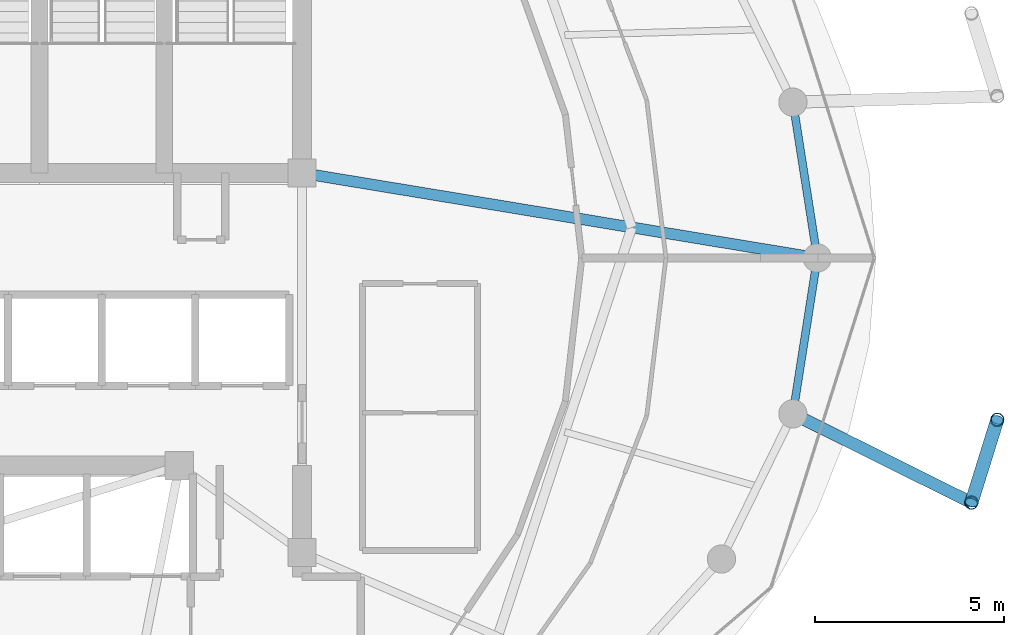
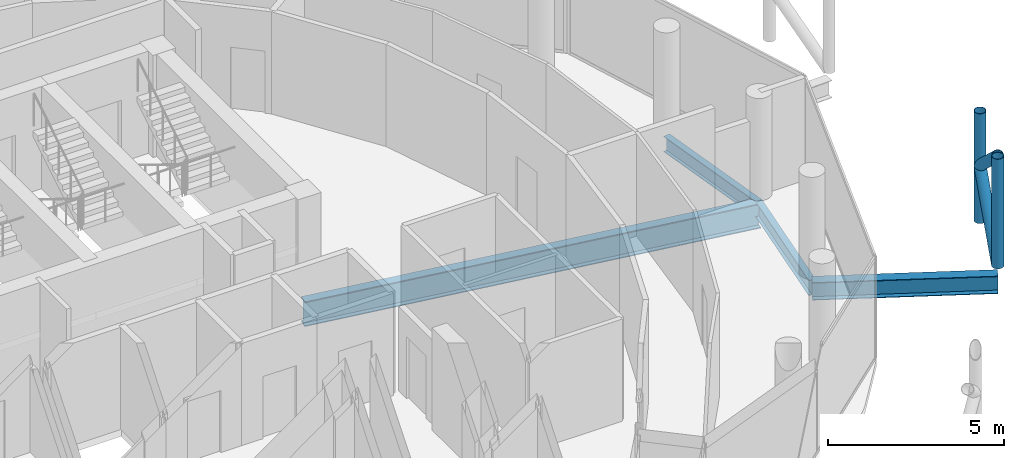
# One storey, part 11 of 24: 4 beams, 4 members.
"""IFC4 building model written with IfcOpenShell, lengths in metres."""

from ifc_helpers import new_model, si_unit, direction, frame, origin, origin_2d, place, context, subcontext, project, spatial, hollow_circle, i_section, extrude, material, material_profile, profile_set, type_object, element, save


model = new_model("IFC4")

# Units and contexts
model_context = context("Model", 3, precision=1e-05, world=origin(), true_north=direction((0.0, 1.0)))
body_context = subcontext(model_context, "Body", "Model", "MODEL_VIEW")
ifc_project = project(units=[si_unit("LENGTHUNIT", "METRE"), si_unit("AREAUNIT", "SQUARE_METRE"), si_unit("VOLUMEUNIT", "CUBIC_METRE"), si_unit("PLANEANGLEUNIT", "RADIAN"), si_unit("MASSUNIT", "GRAM", prefix="KILO")], contexts=[model_context])

# Site, building, storey
site_placement = place(None, origin())
site = spatial("IfcSite", under=ifc_project, at=site_placement, CompositionType="ELEMENT")
building_placement = place(site_placement, origin())
building = spatial("IfcBuilding", under=site, at=building_placement, Name="Nuhasar Tower", CompositionType="ELEMENT")
storey_placement = place(building_placement, frame((0.0, 0.0, 267.0)))
storey = spatial("IfcBuildingStorey", under=building, at=storey_placement, Name="L66", CompositionType="ELEMENT", Elevation=267.0)

# Beams
ifc_material_1 = material(Name="Steel S355", Category="steel")
ifc_material_profile_1 = material_profile(ifc_material_1, i_section(OverallWidth=0.2919921875, OverallDepth=0.85888671875, WebThickness=0.01708984375, FlangeThickness=0.031005859375, at=origin_2d()), Name="W33X169")
ifc_profile_set_1 = profile_set([ifc_material_profile_1], Name="Steel S355")
beam_type_1 = type_object("IfcBeamType", Name="BM-POD-W33X169", PredefinedType="BEAM", material=ifc_profile_set_1)
beam_1_placement = place(storey_placement, frame((44.300048828125, 29.050048828125, -0.68994140625), z_axis=(0.986685215874, -0.162641583786, 0.0), x_axis=(0.162641583786, 0.986685215874, 0.0)))
element("IfcBeam", 1, at=beam_1_placement, inside=storey, type_object=beam_type_1, Name="L66 Radial Floor Girder 04", PredefinedType="BEAM", context=body_context, shape_type="SweptSolid", body=[
    extrude(i_section(OverallWidth=0.2919921875, OverallDepth=0.85888671875, WebThickness=0.01708984375, FlangeThickness=0.031005859375, at=origin_2d()), origin(), (0.0, 0.0, 1.0), 13.833984375),
])
ifc_material_profile_2 = material_profile(ifc_material_1, i_section(OverallWidth=0.2099609375, OverallDepth=0.537109375, WebThickness=0.010986328125, FlangeThickness=0.017333984375, at=origin_2d()), Name="W21X68")
ifc_profile_set_2 = profile_set([ifc_material_profile_2], Name="Steel S355")
beam_type_2 = type_object("IfcBeamType", Name="BM-RING-W21X68", PredefinedType="SPANDREL", material=ifc_profile_set_2)
for number, where, z_axis, x_axis, name in (
    (2, (57.949951171875, 26.800048828125, -0.529052734375), (-0.154612165232, 0.987975241776, 0.0), (-0.987975241776, -0.154612165232, 0.0), "L66 Perimeter Ring Spandrel 01"),
    (3, (57.303955078125, 22.672119140625, -0.529052734375), (0.154612165232, 0.987975241776, 0.0), (-0.987975241776, 0.154612165232, 0.0), "L66 Perimeter Ring Spandrel 24"),
):
    element("IfcBeam", number, at=place(storey_placement, frame(where, z_axis=z_axis, x_axis=x_axis)), inside=storey, type_object=beam_type_2, Name=name, PredefinedType="SPANDREL", context=body_context, shape_type="SweptSolid", body=[
        extrude(i_section(OverallWidth=0.2099609375, OverallDepth=0.537109375, WebThickness=0.010986328125, FlangeThickness=0.017333984375, at=origin_2d()), origin(), (0.0, 0.0, 1.0), 4.17822265625),
    ])
ifc_material_profile_3 = material_profile(ifc_material_1, i_section(OverallWidth=0.323974609375, OverallDepth=0.611083984375, WebThickness=0.0126953125, FlangeThickness=0.01904296875, at=origin_2d()), Name="W24X104")
ifc_profile_set_3 = profile_set([ifc_material_profile_3], Name="Steel S355")
beam_type_3 = type_object("IfcBeamType", Name="BM-TIE-W24X104", PredefinedType="BEAM", material=ifc_profile_set_3)
beam_2_placement = place(storey_placement, frame((57.303955078125, 22.672119140625, -0.56494140625), z_axis=(0.895294451274, -0.445474853969, 0.0), x_axis=(0.445474853969, 0.895294451274, 0.0)))
element("IfcBeam", 4, at=beam_2_placement, inside=storey, type_object=beam_type_3, Name="L66 Exoskeleton Node Tie Beam 12", PredefinedType="BEAM", context=body_context, shape_type="SweptSolid", body=[
    extrude(i_section(OverallWidth=0.323974609375, OverallDepth=0.611083984375, WebThickness=0.0126953125, FlangeThickness=0.01904296875, at=origin_2d()), origin(), (0.0, 0.0, 1.0), 5.281982421875),
])

# Members
ifc_material_2 = material(Name="Steel S460", Category="steel")
ifc_material_profile_4 = material_profile(ifc_material_2, hollow_circle(Radius=0.177734375, WallThickness=0.015869140625, at=origin_2d()), Name="HSS355.6X15.9")
ifc_profile_set_4 = profile_set([ifc_material_profile_4], Name="Steel S460")
member_type = type_object("IfcMemberType", Name="EXO-BRONZE-356", PredefinedType="BRACE", material=ifc_profile_set_4)
for number, where, z_axis, x_axis, name in (
    (5, (62.032958984375, 20.319091796875, 0.0), (0.0, 0.0, 1.0), (1.0, 0.0, 0.0), "L66 Exoskeleton Chord Column EC-12A"),
    (6, (62.718017578125, 22.513916015625, 0.0), (0.0, 0.0, 1.0), (1.0, 0.0, 0.0), "L66 Exoskeleton Chord Column EC-12B"),
):
    element("IfcMember", number, at=place(storey_placement, frame(where, z_axis=z_axis, x_axis=x_axis)), inside=storey, type_object=member_type, Name=name, PredefinedType="BRACE", context=body_context, shape_type="SweptSolid", body=[
        extrude(hollow_circle(Radius=0.177734375, WallThickness=0.015869140625, at=origin_2d()), origin(), (0.0, 0.0, 1.0), 3.800048828125),
    ])
member_1_placement = place(storey_placement, frame((62.032958984375, 20.319091796875, 0.0), z_axis=(0.229681361446, 0.735864376122, 0.636985158507), x_axis=(-0.954581948223, 0.297948492404, 0.0)))
element("IfcMember", 7, at=member_1_placement, inside=storey, type_object=member_type, Name="L66 Bronze Diagrid Brace W1-12", PredefinedType="BRACE", context=body_context, shape_type="SweptSolid", body=[
    extrude(hollow_circle(Radius=0.177734375, WallThickness=0.015869140625, at=origin_2d()), origin(), (0.0, 0.0, 1.0), 2.982666015625),
])
member_2_placement = place(storey_placement, frame((62.718017578125, 22.513916015625, 1.89990234375), z_axis=(-0.229669386127, -0.73582600901, 0.637033796232), x_axis=(0.954581948223, -0.297948492404, 0.0)))
element("IfcMember", 8, at=member_2_placement, inside=storey, type_object=member_type, Name="L66 Bronze Diagrid Brace W2-12", PredefinedType="BRACE", context=body_context, shape_type="SweptSolid", body=[
    extrude(hollow_circle(Radius=0.177734375, WallThickness=0.015869140625, at=origin_2d()), origin(), (0.0, 0.0, 1.0), 2.98291015625),
])

save(model, "model.ifc")
